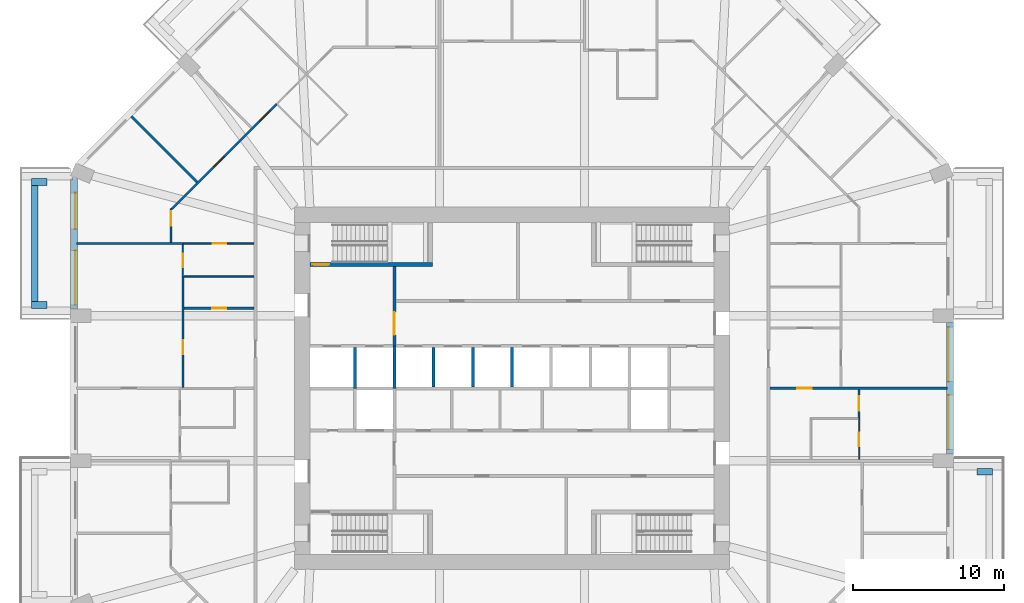
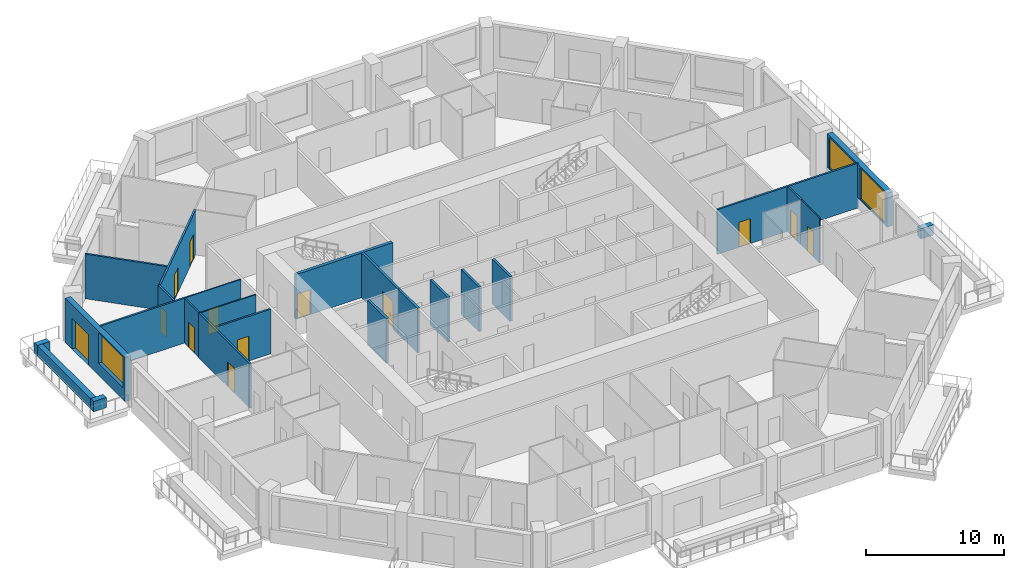
# One storey, part 7 of 13: 25 walls, 13 doors, 3 windows, 16 openings.
"""IFC4 building model written with IfcOpenShell, lengths in metres."""

import ifcopenshell
import ifcopenshell.guid

model = None  # the IFC model being written
_history = None  # IfcOwnerHistory: only IFC2X3 demands one
_inside = {}  # id of a spatial element -> (the spatial element, [elements in it])
_under = {}  # id of a project, library or spatial element -> (it, [spatial elements below it])
_declared = {}  # id of a project -> (the project, [libraries it declares])
_typed = {}  # id of a type object -> (the type object, [elements of that type])
_made_of = {}  # id of a material, layer set ... -> (it, [elements and type objects made of it])


def new_model(schema):
    """Start an empty IFC model of exactly this schema.

    Asked for "IFC4X3", IfcOpenShell would pick the latest addendum, in which some entities
    have other attributes; the version numbers below select the first issue.
    IFC2X3 requires an IfcOwnerHistory on every rooted entity: one is made here for all.
    """
    global model, _history
    if schema == "IFC4X3":
        model = ifcopenshell.file(schema_version=(4, 3, 0, 0))
    else:
        model = ifcopenshell.file(schema=schema)
    _inside.clear()
    _under.clear()
    _declared.clear()
    _typed.clear()
    _made_of.clear()
    _history = None
    if model.schema == "IFC2X3":
        org = make("IfcOrganization", Name="unknown")
        user = make(
            "IfcPersonAndOrganization",
            ThePerson=make("IfcPerson", FamilyName="unknown"),
            TheOrganization=org,
        )
        app = make(
            "IfcApplication",
            ApplicationDeveloper=org,
            Version="unknown",
            ApplicationFullName="unknown",
            ApplicationIdentifier="unknown",
        )
        _history = make(
            "IfcOwnerHistory",
            OwningUser=user,
            OwningApplication=app,
            ChangeAction="ADDED",
            CreationDate=0,
        )
    return model


def make(cls, **values):
    """One entity of the class cls with the attributes given. An attribute that is None is left unset."""
    return model.create_entity(
        cls, **{name: value for name, value in values.items() if value is not None}
    )


def rooted(cls, **values):
    """An entity with a GlobalId (a new one), such as an element, a storey or a relation."""
    return make(cls, GlobalId=ifcopenshell.guid.new(), OwnerHistory=_history, **values)


def si_unit(unit_type, name, prefix=None):
    """IfcSIUnit, for example si_unit("LENGTHUNIT", "METRE", prefix="MILLI")."""
    return make("IfcSIUnit", UnitType=unit_type, Prefix=prefix, Name=name)


def assignment(units):
    """IfcUnitAssignment: the units of a project."""
    return None if units is None else make("IfcUnitAssignment", Units=units)


def point(xyz):
    """IfcCartesianPoint."""
    return None if xyz is None else make("IfcCartesianPoint", Coordinates=xyz)


def direction(xyz):
    """IfcDirection."""
    return None if xyz is None else make("IfcDirection", DirectionRatios=xyz)


def frame(location, z_axis=None, x_axis=None):
    """IfcAxis2Placement3D, a coordinate frame: its origin and axes. An axis left out is left unset."""
    return make(
        "IfcAxis2Placement3D",
        Location=point(location),
        Axis=direction(z_axis),
        RefDirection=direction(x_axis),
    )


def frame_2d(location, x_axis=None):
    """IfcAxis2Placement2D, a coordinate frame in the plane: its origin and x axis."""
    return make(
        "IfcAxis2Placement2D", Location=point(location), RefDirection=direction(x_axis)
    )


def origin():
    """The frame at (0, 0, 0) with its axes left unset."""
    return frame((0.0, 0.0, 0.0))


def place(relative_to, where):
    """IfcLocalPlacement: puts the frame where relative to a parent placement (None: the world)."""
    return make(
        "IfcLocalPlacement", PlacementRelTo=relative_to, RelativePlacement=where
    )


def context(
    kind, dimensions, precision=None, world=None, true_north=None, identifier=None
):
    """IfcGeometricRepresentationContext, for example the 3D "Model" context."""
    return make(
        "IfcGeometricRepresentationContext",
        ContextIdentifier=identifier,
        ContextType=kind,
        CoordinateSpaceDimension=dimensions,
        Precision=precision,
        WorldCoordinateSystem=world,
        TrueNorth=true_north,
    )


def subcontext(parent, identifier, kind, view, scale=None):
    """IfcGeometricRepresentationSubContext, for example "Body" below "Model"."""
    return make(
        "IfcGeometricRepresentationSubContext",
        ContextIdentifier=identifier,
        ContextType=kind,
        ParentContext=parent,
        TargetScale=scale,
        TargetView=view,
    )


def project(units=None, contexts=None):
    """IfcProject with its units and contexts."""
    return rooted(
        "IfcProject",
        Name="project",
        RepresentationContexts=contexts,
        UnitsInContext=assignment(units),
    )


def spatial(cls, under=None, at=None, **own):
    """A site, building, storey or space (cls), placed at a placement, below another one or the project."""
    s = rooted(cls, ObjectPlacement=at, **own)
    if under is not None:
        _under.setdefault(under.id(), (under, []))[1].append(s)
    return s


def profile(cls, at=None, kind="AREA", **sizes):
    """A parametric profile (cls). Its sizes go by their IFC names, for example OverallWidth=200.0."""
    return make(cls, ProfileType=kind, Position=at, **sizes)


def rectangle(**sizes):
    """IfcRectangleProfileDef."""
    return profile("IfcRectangleProfileDef", **sizes)


def extrude(swept, where, along, depth):
    """IfcExtrudedAreaSolid: the profile swept, set in the frame where, extruded along a direction by depth."""
    return make(
        "IfcExtrudedAreaSolid",
        SweptArea=swept,
        Position=where,
        ExtrudedDirection=direction(along),
        Depth=depth,
    )


def shape(context_of_items, identifier, shape_type, items):
    """IfcShapeRepresentation: the items that make up one representation, for example the "Body"."""
    return make(
        "IfcShapeRepresentation",
        ContextOfItems=context_of_items,
        RepresentationIdentifier=identifier,
        RepresentationType=shape_type,
        Items=items,
    )


def material(Name=None, Category=None):
    """IfcMaterial."""
    return make("IfcMaterial", Name=Name, Category=Category)


def layer(
    of_material, thickness, ventilated=None, Name=None, Category=None, Priority=None
):
    """IfcMaterialLayer: one layer of a wall or slab, of a material (None: an air gap)."""
    return make(
        "IfcMaterialLayer",
        Material=of_material,
        LayerThickness=thickness,
        IsVentilated=ventilated,
        Name=Name,
        Category=Category,
        Priority=Priority,
    )


def layer_set(layers, Name=None):
    """IfcMaterialLayerSet."""
    return make("IfcMaterialLayerSet", MaterialLayers=layers, LayerSetName=Name)


def made_of(thing, what):
    """Note that an element or type object is made of a material, layer set ...; save() writes the relation."""
    if what is not None:
        _made_of.setdefault(what.id(), (what, []))[1].append(thing)
    return thing


def type_object(cls, material=None, **own):
    """A type object (cls), such as IfcWallType, which elements share."""
    return made_of(rooted(cls, **own), material)


def element(
    cls,
    number,
    at=None,
    inside=None,
    cuts=None,
    type_object=None,
    material=None,
    context=None,
    identifier="Body",
    shape_type=None,
    held_by="IfcProductDefinitionShape",
    body=None,
    shapes=None,
    **own,
):
    """One element of the class cls, such as IfcWall. Its Tag is "e" and its number.

    at: its placement. inside: the storey or other place that contains it. cuts: it is an
    opening in that element (IfcRelVoidsElement). A single representation is given by context,
    identifier, shape_type and body (its items); several are given by shapes. held_by: the class
    of the entity that holds the representations. save() writes the other relations.
    """
    e = rooted(cls, Tag="e%d" % number, ObjectPlacement=at, **own)
    if body is not None:
        shapes = [shape(context, identifier, shape_type, body)]
    if shapes is not None:
        e.Representation = make(held_by, Representations=shapes)
    if inside is not None:
        _inside.setdefault(inside.id(), (inside, []))[1].append(e)
    if cuts is not None:
        rooted(
            "IfcRelVoidsElement", RelatingBuildingElement=cuts, RelatedOpeningElement=e
        )
    if type_object is not None:
        _typed.setdefault(type_object.id(), (type_object, []))[1].append(e)
    return made_of(e, material)


def fill(opening, filler):
    """IfcRelFillsElement: the door or window that sits in an opening."""
    return rooted(
        "IfcRelFillsElement",
        RelatingOpeningElement=opening,
        RelatedBuildingElement=filler,
    )


def aggregate(whole, parts):
    """IfcRelAggregates: a whole, such as a stair, and the parts it consists of."""
    return rooted("IfcRelAggregates", RelatingObject=whole, RelatedObjects=parts)


def save(model, path):
    """Write the relations noted so far, then the file.

    IfcRelAggregates (storeys below a building ...), IfcRelContainedInSpatialStructure (elements
    in a storey), IfcRelDefinesByType, IfcRelAssociatesMaterial and IfcRelDeclares: one each for
    every whole, place, type object, material and project.
    """
    for whole, parts in _under.values():
        aggregate(whole, parts)
    for where, things in _inside.values():
        rooted(
            "IfcRelContainedInSpatialStructure",
            RelatedElements=things,
            RelatingStructure=where,
        )
    for kind, things in _typed.values():
        rooted("IfcRelDefinesByType", RelatedObjects=things, RelatingType=kind)
    for what, things in _made_of.values():
        rooted("IfcRelAssociatesMaterial", RelatedObjects=things, RelatingMaterial=what)
    for by, libraries in _declared.values():
        rooted("IfcRelDeclares", RelatingContext=by, RelatedDefinitions=libraries)
    model.write(path)


model = new_model("IFC4")

# Units and contexts
model_context = context("Model", 3, precision=1e-05, world=origin(), true_north=direction((0.0, 1.0)))
body_context = subcontext(model_context, "Body", "Model", "MODEL_VIEW")
ifc_project = project(units=[si_unit("LENGTHUNIT", "METRE"), si_unit("AREAUNIT", "SQUARE_METRE"), si_unit("VOLUMEUNIT", "CUBIC_METRE"), si_unit("PLANEANGLEUNIT", "RADIAN"), si_unit("MASSUNIT", "GRAM", prefix="KILO")], contexts=[model_context])

# Site, building, storey
site_placement = place(None, origin())
site = spatial("IfcSite", under=ifc_project, at=site_placement, CompositionType="ELEMENT")
building_placement = place(site_placement, origin())
building = spatial("IfcBuilding", under=site, at=building_placement, Name="Msitu Wima Residences", CompositionType="ELEMENT")
storey_placement = place(building_placement, frame((0.0, 0.0, 67.5)))
storey = spatial("IfcBuildingStorey", under=building, at=storey_placement, Name="L15", CompositionType="ELEMENT", Elevation=67.5)

# Walls
ifc_material_1 = material(Name="Facing brick")
ifc_layer_1 = layer(ifc_material_1, 0.06494140625, Name="Facing brick")
ifc_material_2 = material(Name="Concrete C40/50", Category="concrete")
ifc_layer_2 = layer(ifc_material_2, 0.156005859375, Name="Concrete C40/50")
ifc_material_3 = material(Name="Waterproofing membrane")
ifc_layer_3 = layer(ifc_material_3, 0.00390625, Name="Waterproofing membrane")
ifc_material_4 = material(Name="Planting soil and planting")
ifc_layer_4 = layer(ifc_material_4, 0.22509765625, Name="Planting soil and planting")
ifc_layer_set_1 = layer_set([ifc_layer_1, ifc_layer_2, ifc_layer_3, ifc_layer_4], Name="Concrete C40/50")
wall_type_1 = type_object("IfcWallType", Name="Balcony planter PLANTER PL450", PredefinedType="USERDEFINED", material=ifc_layer_set_1)
wall_1_placement = place(storey_placement, frame((30.800048828125, -5.52490234375, 0.0), z_axis=(0.0, 0.0, 1.0), x_axis=(1.0, 0.0, 0.0)))
element("IfcWall", 1, at=wall_1_placement, inside=storey, type_object=wall_type_1, Name="Balcony planter E0 L15", ObjectType="PLANTER", PredefinedType="USERDEFINED", context=body_context, shape_type="SweptSolid", body=[
    extrude(rectangle(XDim=1.050048828125, YDim=0.449951171875, at=frame_2d((0.52490234375, 0.0))), origin(), (0.0, 0.0, 1.0), 0.89990234375),
])
wall_2_placement = place(storey_placement, frame((-31.625, 13.449951171875, 0.0), z_axis=(0.0, 0.0, 1.0), x_axis=(0.0, -1.0, 0.0)))
element("IfcWall", 2, at=wall_2_placement, inside=storey, type_object=wall_type_1, Name="Balcony planter W0 L15", ObjectType="PLANTER", PredefinedType="USERDEFINED", context=body_context, shape_type="SweptSolid", body=[
    extrude(rectangle(XDim=7.699951171875, YDim=0.449951171875, at=frame_2d((3.85009765625, 0.0))), origin(), (0.0, 0.0, 1.0), 0.89990234375),
])
for number, where, z_axis, x_axis, name in (
    (3, (-30.800048828125, 13.675048828125, 0.0), (0.0, 0.0, 1.0), (-1.0, 0.0, 0.0), "Balcony planter W0 L15"),
    (4, (-30.800048828125, 5.52490234375, 0.0), (0.0, 0.0, 1.0), (-1.0, 0.0, 0.0), "Balcony planter W0 L15"),
):
    element("IfcWall", number, at=place(storey_placement, frame(where, z_axis=z_axis, x_axis=x_axis)), inside=storey, type_object=wall_type_1, Name=name, ObjectType="PLANTER", PredefinedType="USERDEFINED", context=body_context, shape_type="SweptSolid", body=[
        extrude(rectangle(XDim=1.050048828125, YDim=0.449951171875, at=frame_2d((0.52490234375, 0.0))), origin(), (0.0, 0.0, 1.0), 0.89990234375),
    ])

# Wall, openings, windows
ifc_material_5 = material(Name="Brick (red buff mix)", Category="masonry")
ifc_layer_5 = layer(ifc_material_5, 0.449951171875)
ifc_layer_set_2 = layer_set([ifc_layer_5], Name="Brick (red buff mix)")
wall_type_2 = type_object("IfcWallType", Name="Brick infill wall BW450", PredefinedType="SOLIDWALL", material=ifc_layer_set_2)
wall_3_placement = place(storey_placement, frame((29.02490234375, -4.35009765625, 0.89990234375), z_axis=(0.0, 0.0, 1.0), x_axis=(0.0, 1.0, 0.0)))
wall_3 = element("IfcWall", 5, at=wall_3_placement, inside=storey, type_object=wall_type_2, Name="Brick infill wall L15 E1", PredefinedType="SOLIDWALL", context=body_context, shape_type="SweptSolid", body=[
    extrude(rectangle(XDim=8.7001953125, YDim=0.449951171875, at=frame_2d((4.35009765625, 0.0))), origin(), (0.0, 0.0, 1.0), 3.0),
])
opening_1_placement = place(wall_3_placement, frame((0.300048828125, 0.0, 0.14990234375)))
opening_1 = element("IfcOpeningElement", 6, at=opening_1_placement, cuts=wall_3, Name="Opening W13-15.002", PredefinedType="OPENING", context=body_context, shape_type="SweptSolid", body=[
    extrude(rectangle(XDim=3.60009765625, YDim=2.699951171875, at=frame_2d((1.800048828125, 1.35009765625))), frame((0.0, 0.23486328125, 0.0), z_axis=(0.0, -1.0, 0.0), x_axis=(1.0, 0.0, 0.0)), (0.0, 0.0, 1.0), 0.469970703125),
])
opening_2_placement = place(wall_3_placement, frame((4.800048828125, 0.0, 0.14990234375)))
opening_2 = element("IfcOpeningElement", 7, at=opening_2_placement, cuts=wall_3, Name="Opening W13-15.003", PredefinedType="OPENING", context=body_context, shape_type="SweptSolid", body=[
    extrude(rectangle(XDim=3.60009765625, YDim=2.699951171875, at=frame_2d((1.800048828125, 1.35009765625))), frame((0.0, 0.23486328125, 0.0), z_axis=(0.0, -1.0, 0.0), x_axis=(1.0, 0.0, 0.0)), (0.0, 0.0, 1.0), 0.469970703125),
])
ifc_material_6 = material(Name="Anodised aluminium, bronze finish, clear low-emissivity double glazing", Category="aluminium")
window_type = type_object("IfcWindowType", Name="Window W3600x2700", PartitioningType="DOUBLE_PANEL_VERTICAL", PredefinedType="WINDOW", material=ifc_material_6)
window_1_placement = place(opening_1_placement, origin())
window_1 = element("IfcWindow", 8, at=window_1_placement, inside=storey, type_object=window_type, Name="Window L15 E1.1", OverallHeight=2.699951171875, OverallWidth=3.60009765625, PartitioningType="SINGLE_PANEL", PredefinedType="WINDOW", context=body_context, shape_type="SweptSolid", body=[
    extrude(rectangle(XDim=3.60009765625, YDim=2.699951171875, at=frame_2d((1.800048828125, 1.35009765625))), frame((0.0, 0.135009765625, 0.0), z_axis=(0.0, -1.0, 0.0), x_axis=(1.0, 0.0, 0.0)), (0.0, 0.0, 1.0), 0.06005859375),
])
fill(opening_1, window_1)
window_2_placement = place(opening_2_placement, origin())
window_2 = element("IfcWindow", 9, at=window_2_placement, inside=storey, type_object=window_type, Name="Window L15 E1.2", OverallHeight=2.699951171875, OverallWidth=3.60009765625, PartitioningType="SINGLE_PANEL", PredefinedType="WINDOW", context=body_context, shape_type="SweptSolid", body=[
    extrude(rectangle(XDim=3.60009765625, YDim=2.699951171875, at=frame_2d((1.800048828125, 1.35009765625))), frame((0.0, 0.135009765625, 0.0), z_axis=(0.0, -1.0, 0.0), x_axis=(1.0, 0.0, 0.0)), (0.0, 0.0, 1.0), 0.06005859375),
])
fill(opening_2, window_2)

# Wall, openings, door, window
wall_4_placement = place(storey_placement, frame((-29.02490234375, 13.912841796875, 0.0), z_axis=(0.0, 0.0, 1.0), x_axis=(0.0, -1.0, 0.0)))
wall_4 = element("IfcWall", 10, at=wall_4_placement, inside=storey, type_object=wall_type_2, Name="Brick infill wall L15 W0", PredefinedType="SOLIDWALL", context=body_context, shape_type="SweptSolid", body=[
    extrude(rectangle(XDim=8.662841796875, YDim=0.449951171875, at=frame_2d((4.33154296875, 0.0))), origin(), (0.0, 0.0, 1.0), 3.89990234375),
])
opening_3_placement = place(wall_4_placement, frame((0.9658203125, 0.0, 0.0)))
opening_3 = element("IfcOpeningElement", 11, at=opening_3_placement, cuts=wall_4, Name="Opening D13-15.009", PredefinedType="OPENING", context=body_context, shape_type="SweptSolid", body=[
    extrude(rectangle(XDim=2.39990234375, YDim=2.699951171875, at=frame_2d((1.199951171875, 1.35009765625))), frame((0.0, 0.23486328125, 0.0), z_axis=(0.0, -1.0, 0.0), x_axis=(1.0, 0.0, 0.0)), (0.0, 0.0, 1.0), 0.469970703125),
])
opening_4_placement = place(wall_4_placement, frame((4.781494140625, 0.0, 1.050048828125)))
opening_4 = element("IfcOpeningElement", 12, at=opening_4_placement, cuts=wall_4, Name="Opening W13-15.027", PredefinedType="OPENING", context=body_context, shape_type="SweptSolid", body=[
    extrude(rectangle(XDim=3.60009765625, YDim=2.699951171875, at=frame_2d((1.800048828125, 1.35009765625))), frame((0.0, 0.23486328125, 0.0), z_axis=(0.0, -1.0, 0.0), x_axis=(1.0, 0.0, 0.0)), (0.0, 0.0, 1.0), 0.469970703125),
])
door_type_1 = type_object("IfcDoorType", Name="Balcony door D2400x2700", OperationType="SLIDING_TO_LEFT", PredefinedType="DOOR", material=ifc_material_6)
door_1_placement = place(opening_3_placement, origin())
door_1 = element("IfcDoor", 13, at=door_1_placement, inside=storey, type_object=door_type_1, Name="Balcony door L15 W0", OperationType="SINGLE_SWING_LEFT", OverallHeight=2.699951171875, OverallWidth=2.39990234375, PredefinedType="DOOR", context=body_context, shape_type="SweptSolid", body=[
    extrude(rectangle(XDim=2.39990234375, YDim=2.699951171875, at=frame_2d((1.199951171875, 1.35009765625))), frame((0.0, 0.1298828125, 0.0), z_axis=(0.0, -1.0, 0.0), x_axis=(1.0, 0.0, 0.0)), (0.0, 0.0, 1.0), 0.050048828125),
])
fill(opening_3, door_1)
window_3_placement = place(opening_4_placement, origin())
window_3 = element("IfcWindow", 14, at=window_3_placement, inside=storey, type_object=window_type, Name="Window L15 W0.2", OverallHeight=2.699951171875, OverallWidth=3.60009765625, PartitioningType="SINGLE_PANEL", PredefinedType="WINDOW", context=body_context, shape_type="SweptSolid", body=[
    extrude(rectangle(XDim=3.60009765625, YDim=2.699951171875, at=frame_2d((1.800048828125, 1.35009765625))), frame((0.0, 0.135009765625, 0.0), z_axis=(0.0, -1.0, 0.0), x_axis=(1.0, 0.0, 0.0)), (0.0, 0.0, 1.0), 0.06005859375),
])
fill(opening_4, window_3)

# Wall, opening, door
ifc_material_7 = material(Name="Plaster")
ifc_layer_6 = layer(ifc_material_7, 0.011962890625, Name="Plaster")
ifc_material_8 = material(Name="Concrete blockwork", Category="masonry")
ifc_layer_7 = layer(ifc_material_8, 0.176025390625, Name="Concrete blockwork")
ifc_layer_8 = layer(ifc_material_7, 0.011962890625, Name="Plaster")
ifc_layer_set_3 = layer_set([ifc_layer_6, ifc_layer_7, ifc_layer_8], Name="Concrete blockwork")
wall_type_3 = type_object("IfcWallType", Name="Corridor wall FW200", PredefinedType="PARTITIONING", material=ifc_layer_set_3)
wall_5_placement = place(storey_placement, frame((-7.800048828125, 2.800048828125, 0.0), z_axis=(0.0, 0.0, 1.0), x_axis=(0.0, 1.0, 0.0)))
wall_5 = element("IfcWall", 15, at=wall_5_placement, inside=storey, type_object=wall_type_3, Name="Corridor wall", PredefinedType="PARTITIONING", context=body_context, shape_type="SweptSolid", body=[
    extrude(rectangle(XDim=5.27490234375, YDim=0.199951171875, at=frame_2d((2.637451171875, 0.0))), origin(), (0.0, 0.0, 1.0), 3.949951171875),
])
opening_5_placement = place(wall_5_placement, frame((0.75, 0.0, 0.0)))
opening_5 = element("IfcOpeningElement", 16, at=opening_5_placement, cuts=wall_5, Name="Opening D13-15.016", PredefinedType="OPENING", context=body_context, shape_type="SweptSolid", body=[
    extrude(rectangle(XDim=1.5, YDim=2.39990234375, at=frame_2d((0.75, 1.199951171875))), frame((0.0, 0.10986328125, 0.0), z_axis=(0.0, -1.0, 0.0), x_axis=(1.0, 0.0, 0.0)), (0.0, 0.0, 1.0), 0.219970703125),
])
ifc_material_9 = material(Name="Steel framed glazed door, fire resisting", Category="steel")
door_type_2 = type_object("IfcDoorType", Name="Lobby door D07 1500x2400", OperationType="DOUBLE_DOOR_SINGLE_SWING", PredefinedType="DOOR", material=ifc_material_9)
door_2_placement = place(opening_5_placement, origin())
door_2 = element("IfcDoor", 17, at=door_2_placement, inside=storey, type_object=door_type_2, Name="Lobby door", OperationType="DOUBLE_DOOR_SINGLE_SWING", OverallHeight=2.39990234375, OverallWidth=1.5, PredefinedType="DOOR", context=body_context, shape_type="SweptSolid", body=[
    extrude(rectangle(XDim=1.5, YDim=2.39990234375, at=frame_2d((0.75, 1.199951171875))), frame((0.0, 0.02490234375, 0.0), z_axis=(0.0, -1.0, 0.0), x_axis=(1.0, 0.0, 0.0)), (0.0, 0.0, 1.0), 0.050048828125),
])
fill(opening_5, door_2)

# Walls
ifc_layer_9 = layer(ifc_material_7, 0.011962890625, Name="Plaster")
ifc_layer_10 = layer(ifc_material_8, 0.1259765625, Name="Concrete blockwork")
ifc_layer_11 = layer(ifc_material_7, 0.011962890625, Name="Plaster")
ifc_layer_set_4 = layer_set([ifc_layer_9, ifc_layer_10, ifc_layer_11], Name="Concrete blockwork")
wall_type_4 = type_object("IfcWallType", Name="Partition PW150", PredefinedType="PARTITIONING", material=ifc_layer_set_4)
wall_6_placement = place(storey_placement, frame((-28.85498046875, 9.60009765625, 0.0), z_axis=(0.0, 0.0, 1.0), x_axis=(1.0, 0.0, 0.0)))
element("IfcWall", 18, at=wall_6_placement, inside=storey, type_object=wall_type_4, Name="Partition", PredefinedType="PARTITIONING", context=body_context, shape_type="SweptSolid", body=[
    extrude(rectangle(XDim=7.074951171875, YDim=0.14990234375, at=frame_2d((3.53759765625, 0.0))), origin(), (0.0, 0.0, 1.0), 3.949951171875),
])
wall_7_placement = place(storey_placement, frame((-25.2177734375, 18.017578125, 0.0), z_axis=(0.0, 0.0, 1.0), x_axis=(0.707126629519, -0.707086932297, 0.0)))
element("IfcWall", 19, at=wall_7_placement, inside=storey, type_object=wall_type_4, Name="Partition", PredefinedType="PARTITIONING", context=body_context, shape_type="SweptSolid", body=[
    extrude(rectangle(XDim=6.150146484375, YDim=0.14990234375, at=frame_2d((3.0751953125, 0.0))), origin(), (0.0, 0.0, 1.0), 3.949951171875),
])

# Wall, opening, door
wall_8_placement = place(storey_placement, frame((-22.60009765625, 9.675048828125, 0.0), z_axis=(0.0, 0.0, 1.0), x_axis=(0.0, 1.0, 0.0)))
wall_8 = element("IfcWall", 20, at=wall_8_placement, inside=storey, type_object=wall_type_4, Name="Partition", PredefinedType="PARTITIONING", context=body_context, shape_type="SweptSolid", body=[
    extrude(rectangle(XDim=2.23193359375, YDim=0.14990234375, at=frame_2d((1.115966796875, 0.0))), origin(), (0.0, 0.0, 1.0), 3.949951171875),
])
opening_6_placement = place(wall_8_placement, frame((1.10009765625, 0.0, 0.0)))
opening_6 = element("IfcOpeningElement", 21, at=opening_6_placement, cuts=wall_8, Name="Opening D13-15.064", PredefinedType="OPENING", context=body_context, shape_type="SweptSolid", body=[
    extrude(rectangle(XDim=0.949951171875, YDim=2.199951171875, at=frame_2d((0.47509765625, 1.10009765625))), frame((0.0, 0.0849609375, 0.0), z_axis=(0.0, -1.0, 0.0), x_axis=(1.0, 0.0, 0.0)), (0.0, 0.0, 1.0), 0.169921875),
])
ifc_material_10 = material(Name="Timber flush door", Category="wood")
door_type_3 = type_object("IfcDoorType", Name="Room door D12 950x2200", OperationType="SINGLE_SWING_LEFT", PredefinedType="DOOR", material=ifc_material_10)
door_3_placement = place(opening_6_placement, origin())
door_3 = element("IfcDoor", 22, at=door_3_placement, inside=storey, type_object=door_type_3, Name="Room door", OperationType="SINGLE_SWING_LEFT", OverallHeight=2.199951171875, OverallWidth=0.949951171875, PredefinedType="DOOR", context=body_context, shape_type="SweptSolid", body=[
    extrude(rectangle(XDim=0.949951171875, YDim=2.199951171875, at=frame_2d((0.47509765625, 1.10009765625))), frame((0.0, 0.02490234375, 0.0), z_axis=(0.0, -1.0, 0.0), x_axis=(1.0, 0.0, 0.0)), (0.0, 0.0, 1.0), 0.050048828125),
])
fill(opening_6, door_3)

# Wall, openings, doors
wall_9_placement = place(storey_placement, frame((-22.546875, 11.885009765625, 0.0), z_axis=(0.0, 0.0, 1.0), x_axis=(0.707106781187, 0.707106781187, 0.0)))
wall_9 = element("IfcWall", 23, at=wall_9_placement, inside=storey, type_object=wall_type_4, Name="Partition", PredefinedType="PARTITIONING", context=body_context, shape_type="SweptSolid", body=[
    extrude(rectangle(XDim=9.830078125, YDim=0.14990234375, at=frame_2d((4.9150390625, 0.0))), origin(), (0.0, 0.0, 1.0), 3.949951171875),
])
opening_7_placement = place(wall_9_placement, frame((3.949951171875, 0.0, 0.0)))
opening_7 = element("IfcOpeningElement", 24, at=opening_7_placement, cuts=wall_9, Name="Opening D13-15.059", PredefinedType="OPENING", context=body_context, shape_type="SweptSolid", body=[
    extrude(rectangle(XDim=0.949951171875, YDim=2.199951171875, at=frame_2d((0.47509765625, 1.10009765625))), frame((0.0, 0.0849609375, 0.0), z_axis=(0.0, -1.0, 0.0), x_axis=(1.0, 0.0, 0.0)), (0.0, 0.0, 1.0), 0.169921875),
])
opening_8_placement = place(wall_9_placement, frame((8.25, 0.0, 0.0)))
opening_8 = element("IfcOpeningElement", 25, at=opening_8_placement, cuts=wall_9, Name="Opening D13-15.061", PredefinedType="OPENING", context=body_context, shape_type="SweptSolid", body=[
    extrude(rectangle(XDim=0.949951171875, YDim=2.199951171875, at=frame_2d((0.47509765625, 1.10009765625))), frame((0.0, 0.0849609375, 0.0), z_axis=(0.0, -1.0, 0.0), x_axis=(1.0, 0.0, 0.0)), (0.0, 0.0, 1.0), 0.169921875),
])
door_4_placement = place(opening_7_placement, origin())
door_4 = element("IfcDoor", 26, at=door_4_placement, inside=storey, type_object=door_type_3, Name="Room door", OperationType="SINGLE_SWING_LEFT", OverallHeight=2.199951171875, OverallWidth=0.949951171875, PredefinedType="DOOR", context=body_context, shape_type="SweptSolid", body=[
    extrude(rectangle(XDim=0.949951171875, YDim=2.199951171875, at=frame_2d((0.47509765625, 1.10009765625))), frame((0.0, 0.02490234375, 0.0), z_axis=(0.0, -1.0, 0.0), x_axis=(1.0, 0.0, 0.0)), (0.0, 0.0, 1.0), 0.050048828125),
])
fill(opening_7, door_4)
door_5_placement = place(opening_8_placement, origin())
door_5 = element("IfcDoor", 27, at=door_5_placement, inside=storey, type_object=door_type_3, Name="Room door", OperationType="SINGLE_SWING_LEFT", OverallHeight=2.199951171875, OverallWidth=0.949951171875, PredefinedType="DOOR", context=body_context, shape_type="SweptSolid", body=[
    extrude(rectangle(XDim=0.949951171875, YDim=2.199951171875, at=frame_2d((0.47509765625, 1.10009765625))), frame((0.0, 0.02490234375, 0.0), z_axis=(0.0, -1.0, 0.0), x_axis=(1.0, 0.0, 0.0)), (0.0, 0.0, 1.0), 0.050048828125),
])
fill(opening_8, door_5)

# Wall, opening, door
wall_10_placement = place(storey_placement, frame((-21.800048828125, 0.050048828125, 0.0), z_axis=(0.0, 0.0, 1.0), x_axis=(0.0, 1.0, 0.0)))
wall_10 = element("IfcWall", 28, at=wall_10_placement, inside=storey, type_object=wall_type_4, Name="Partition", PredefinedType="PARTITIONING", context=body_context, shape_type="SweptSolid", body=[
    extrude(rectangle(XDim=7.369873046875, YDim=0.14990234375, at=frame_2d((3.68505859375, 0.0))), origin(), (0.0, 0.0, 1.0), 3.949951171875),
])
opening_9_placement = place(wall_10_placement, frame((2.199951171875, 0.0, 0.0)))
opening_9 = element("IfcOpeningElement", 29, at=opening_9_placement, cuts=wall_10, Name="Opening D13-15.046", PredefinedType="OPENING", context=body_context, shape_type="SweptSolid", body=[
    extrude(rectangle(XDim=0.949951171875, YDim=2.199951171875, at=frame_2d((0.47509765625, 1.10009765625))), frame((0.0, 0.0849609375, 0.0), z_axis=(0.0, -1.0, 0.0), x_axis=(1.0, 0.0, 0.0)), (0.0, 0.0, 1.0), 0.169921875),
])
door_6_placement = place(opening_9_placement, origin())
door_6 = element("IfcDoor", 30, at=door_6_placement, inside=storey, type_object=door_type_3, Name="Room door", OperationType="SINGLE_SWING_LEFT", OverallHeight=2.199951171875, OverallWidth=0.949951171875, PredefinedType="DOOR", context=body_context, shape_type="SweptSolid", body=[
    extrude(rectangle(XDim=0.949951171875, YDim=2.199951171875, at=frame_2d((0.47509765625, 1.10009765625))), frame((0.0, 0.02490234375, 0.0), z_axis=(0.0, -1.0, 0.0), x_axis=(1.0, 0.0, 0.0)), (0.0, 0.0, 1.0), 0.050048828125),
])
fill(opening_9, door_6)

wall_11_placement = place(storey_placement, frame((-21.72509765625, 5.300048828125, 0.0), z_axis=(0.0, 0.0, 1.0), x_axis=(1.0, 0.0, 0.0)))
wall_11 = element("IfcWall", 31, at=wall_11_placement, inside=storey, type_object=wall_type_4, Name="Partition", PredefinedType="PARTITIONING", context=body_context, shape_type="SweptSolid", body=[
    extrude(rectangle(XDim=4.625, YDim=0.14990234375, at=frame_2d((2.3125, 0.0))), origin(), (0.0, 0.0, 1.0), 3.949951171875),
])
opening_10_placement = place(wall_11_placement, frame((1.85009765625, 0.0, 0.0)))
opening_10 = element("IfcOpeningElement", 32, at=opening_10_placement, cuts=wall_11, Name="Opening D13-15.047", PredefinedType="OPENING", context=body_context, shape_type="SweptSolid", body=[
    extrude(rectangle(XDim=0.949951171875, YDim=2.199951171875, at=frame_2d((0.47509765625, 1.10009765625))), frame((0.0, 0.0849609375, 0.0), z_axis=(0.0, -1.0, 0.0), x_axis=(1.0, 0.0, 0.0)), (0.0, 0.0, 1.0), 0.169921875),
])
door_7_placement = place(opening_10_placement, origin())
door_7 = element("IfcDoor", 33, at=door_7_placement, inside=storey, type_object=door_type_3, Name="Room door", OperationType="SINGLE_SWING_RIGHT", OverallHeight=2.199951171875, OverallWidth=0.949951171875, PredefinedType="DOOR", context=body_context, shape_type="SweptSolid", body=[
    extrude(rectangle(XDim=0.949951171875, YDim=2.199951171875, at=frame_2d((0.47509765625, 1.10009765625))), frame((0.0, 0.02490234375, 0.0), z_axis=(0.0, -1.0, 0.0), x_axis=(1.0, 0.0, 0.0)), (0.0, 0.0, 1.0), 0.050048828125),
])
fill(opening_10, door_7)

wall_12_placement = place(storey_placement, frame((17.10009765625, 0.0, 0.0), z_axis=(0.0, 0.0, 1.0), x_axis=(1.0, 0.0, 0.0)))
wall_12 = element("IfcWall", 34, at=wall_12_placement, inside=storey, type_object=wall_type_4, Name="Partition", PredefinedType="PARTITIONING", context=body_context, shape_type="SweptSolid", body=[
    extrude(rectangle(XDim=11.7548828125, YDim=0.14990234375, at=frame_2d((5.87744140625, 0.0))), origin(), (0.0, 0.0, 1.0), 3.949951171875),
])
opening_11_placement = place(wall_12_placement, frame((1.800048828125, 0.0, 0.0)))
opening_11 = element("IfcOpeningElement", 35, at=opening_11_placement, cuts=wall_12, Name="Opening D13-15.038", PredefinedType="OPENING", context=body_context, shape_type="SweptSolid", body=[
    extrude(rectangle(XDim=0.949951171875, YDim=2.199951171875, at=frame_2d((0.47509765625, 1.10009765625))), frame((0.0, 0.0849609375, 0.0), z_axis=(0.0, -1.0, 0.0), x_axis=(1.0, 0.0, 0.0)), (0.0, 0.0, 1.0), 0.169921875),
])
door_8_placement = place(opening_11_placement, origin())
door_8 = element("IfcDoor", 36, at=door_8_placement, inside=storey, type_object=door_type_3, Name="Room door", OperationType="SINGLE_SWING_RIGHT", OverallHeight=2.199951171875, OverallWidth=0.949951171875, PredefinedType="DOOR", context=body_context, shape_type="SweptSolid", body=[
    extrude(rectangle(XDim=0.949951171875, YDim=2.199951171875, at=frame_2d((0.47509765625, 1.10009765625))), frame((0.0, 0.02490234375, 0.0), z_axis=(0.0, -1.0, 0.0), x_axis=(1.0, 0.0, 0.0)), (0.0, 0.0, 1.0), 0.050048828125),
])
fill(opening_11, door_8)

wall_13_placement = place(storey_placement, frame((23.0, -1.97998046875, 0.0), z_axis=(0.0, 0.0, 1.0), x_axis=(0.0, 1.0, 0.0)))
wall_13 = element("IfcWall", 37, at=wall_13_placement, inside=storey, type_object=wall_type_4, Name="Partition", PredefinedType="PARTITIONING", context=body_context, shape_type="SweptSolid", body=[
    extrude(rectangle(XDim=1.905029296875, YDim=0.14990234375, at=frame_2d((0.95263671875, 0.0))), origin(), (0.0, 0.0, 1.0), 3.949951171875),
])
opening_12_placement = place(wall_13_placement, frame((0.5, 0.0, 0.0)))
opening_12 = element("IfcOpeningElement", 38, at=opening_12_placement, cuts=wall_13, Name="Opening D13-15.071", PredefinedType="OPENING", context=body_context, shape_type="SweptSolid", body=[
    extrude(rectangle(XDim=0.949951171875, YDim=2.199951171875, at=frame_2d((0.47509765625, 1.10009765625))), frame((0.0, 0.0849609375, 0.0), z_axis=(0.0, -1.0, 0.0), x_axis=(1.0, 0.0, 0.0)), (0.0, 0.0, 1.0), 0.169921875),
])
door_9_placement = place(opening_12_placement, origin())
door_9 = element("IfcDoor", 39, at=door_9_placement, inside=storey, type_object=door_type_3, Name="Room door", OperationType="SINGLE_SWING_LEFT", OverallHeight=2.199951171875, OverallWidth=0.949951171875, PredefinedType="DOOR", context=body_context, shape_type="SweptSolid", body=[
    extrude(rectangle(XDim=0.949951171875, YDim=2.199951171875, at=frame_2d((0.47509765625, 1.10009765625))), frame((0.0, 0.02490234375, 0.0), z_axis=(0.0, -1.0, 0.0), x_axis=(1.0, 0.0, 0.0)), (0.0, 0.0, 1.0), 0.050048828125),
])
fill(opening_12, door_9)

# Walls
ifc_material_11 = material(Name="Fire-rated board")
ifc_layer_12 = layer(ifc_material_11, 0.02490234375, Name="Fire-rated board")
ifc_material_12 = material(Name="Light-gauge stud framing with mineral wool")
ifc_layer_13 = layer(ifc_material_12, 0.14990234375, Name="Light-gauge stud framing with mineral wool")
ifc_layer_14 = layer(ifc_material_11, 0.02490234375, Name="Fire-rated board")
ifc_layer_set_5 = layer_set([ifc_layer_12, ifc_layer_13, ifc_layer_14], Name="Light-gauge stud framing with mineral wool")
wall_type_5 = type_object("IfcWallType", Name="Shaft wall SH200", PredefinedType="PARTITIONING", material=ifc_layer_set_5)
wall_14_placement = place(storey_placement, frame((-10.39990234375, 0.0, 0.0), z_axis=(0.0, 0.0, 1.0), x_axis=(0.0, 1.0, 0.0)))
element("IfcWall", 40, at=wall_14_placement, inside=storey, type_object=wall_type_5, Name="Shaft wall", PredefinedType="PARTITIONING", context=body_context, shape_type="SweptSolid", body=[
    extrude(rectangle(XDim=2.699951171875, YDim=0.199951171875, at=frame_2d((1.35009765625, 0.0))), origin(), (0.0, 0.0, 1.0), 3.949951171875),
])
wall_15_placement = place(storey_placement, frame((-7.800048828125, 0.0, 0.0), z_axis=(0.0, 0.0, 1.0), x_axis=(0.0, 1.0, 0.0)))
element("IfcWall", 41, at=wall_15_placement, inside=storey, type_object=wall_type_5, Name="Shaft wall", PredefinedType="PARTITIONING", context=body_context, shape_type="SweptSolid", body=[
    extrude(rectangle(XDim=2.800048828125, YDim=0.199951171875, at=frame_2d((1.39990234375, 0.0))), origin(), (0.0, 0.0, 1.0), 3.949951171875),
])
for number, where, z_axis, x_axis, name in (
    (42, (-5.199951171875, 0.10009765625, 0.0), (0.0, 0.0, 1.0), (0.0, 1.0, 0.0), "Shaft wall"),
    (43, (-2.60009765625, 0.10009765625, 0.0), (0.0, 0.0, 1.0), (0.0, 1.0, 0.0), "Shaft wall"),
    (44, (0.0, 0.10009765625, 0.0), (0.0, 0.0, 1.0), (0.0, 1.0, 0.0), "Shaft wall"),
):
    element("IfcWall", number, at=place(storey_placement, frame(where, z_axis=z_axis, x_axis=x_axis)), inside=storey, type_object=wall_type_5, Name=name, PredefinedType="PARTITIONING", context=body_context, shape_type="SweptSolid", body=[
        extrude(rectangle(XDim=2.599853515625, YDim=0.199951171875, at=frame_2d((1.2998046875, 0.0))), origin(), (0.0, 0.0, 1.0), 3.949951171875),
    ])

# Wall, opening, door
ifc_material_13 = material(Name="Concrete C50/60", Category="concrete")
ifc_layer_15 = layer(ifc_material_13, 0.25)
ifc_layer_set_6 = layer_set([ifc_layer_15], Name="Concrete C50/60")
wall_type_6 = type_object("IfcWallType", Name="Stair enclosure wall SW250", PredefinedType="SHEAR", material=ifc_layer_set_6)
wall_16_placement = place(storey_placement, frame((-13.3701171875, 8.199951171875, 0.0), z_axis=(0.0, 0.0, 1.0), x_axis=(1.0, 0.0, 0.0)))
wall_16 = element("IfcWall", 45, at=wall_16_placement, inside=storey, type_object=wall_type_6, Name="Stair enclosure wall", PredefinedType="SHEAR", context=body_context, shape_type="SweptSolid", body=[
    extrude(rectangle(XDim=8.09521484375, YDim=0.25, at=frame_2d((4.047607421875, 0.0))), origin(), (0.0, 0.0, 1.0), 3.949951171875),
])
opening_13_placement = place(wall_16_placement, frame((0.14990234375, 0.0, 0.0)))
opening_13 = element("IfcOpeningElement", 46, at=opening_13_placement, cuts=wall_16, Name="Opening D13-15.033", PredefinedType="OPENING", context=body_context, shape_type="SweptSolid", body=[
    extrude(rectangle(XDim=1.10009765625, YDim=2.199951171875, at=frame_2d((0.550048828125, 1.10009765625))), frame((0.0, 0.135009765625, 0.0), z_axis=(0.0, -1.0, 0.0), x_axis=(1.0, 0.0, 0.0)), (0.0, 0.0, 1.0), 0.27001953125),
])
ifc_material_14 = material(Name="Steel door, fire resisting, panic bar", Category="steel")
door_type_4 = type_object("IfcDoorType", Name="Stair door D06 1100x2200", OperationType="SINGLE_SWING_LEFT", PredefinedType="DOOR", material=ifc_material_14)
door_10_placement = place(opening_13_placement, origin())
door_10 = element("IfcDoor", 47, at=door_10_placement, inside=storey, type_object=door_type_4, Name="Stair door", OperationType="SINGLE_SWING_LEFT", OverallHeight=2.199951171875, OverallWidth=1.10009765625, PredefinedType="DOOR", context=body_context, shape_type="SweptSolid", body=[
    extrude(rectangle(XDim=1.10009765625, YDim=2.199951171875, at=frame_2d((0.550048828125, 1.10009765625))), frame((0.0, 0.02490234375, 0.0), z_axis=(0.0, -1.0, 0.0), x_axis=(1.0, 0.0, 0.0)), (0.0, 0.0, 1.0), 0.050048828125),
])
fill(opening_13, door_10)

ifc_material_15 = material(Name="Ceramic tiles")
ifc_layer_16 = layer(ifc_material_15, 0.008056640625, Name="Ceramic tiles")
ifc_material_16 = material(Name="Moisture-resistant board")
ifc_layer_17 = layer(ifc_material_16, 0.012451171875, Name="Moisture-resistant board")
ifc_layer_18 = layer(ifc_material_12, 0.06689453125, Name="Light-gauge stud framing with mineral wool")
ifc_layer_19 = layer(ifc_material_16, 0.012451171875, Name="Moisture-resistant board")
ifc_layer_set_7 = layer_set([ifc_layer_16, ifc_layer_17, ifc_layer_18, ifc_layer_19], Name="Light-gauge stud framing with mineral wool")
wall_type_7 = type_object("IfcWallType", Name="Wet wall PW100", PredefinedType="PARTITIONING", material=ifc_layer_set_7)
wall_17_placement = place(storey_placement, frame((-21.780029296875, 9.60009765625, 0.0), z_axis=(0.0, 0.0, 1.0), x_axis=(1.0, 0.0, 0.0)))
wall_17 = element("IfcWall", 48, at=wall_17_placement, inside=storey, type_object=wall_type_7, Name="Wet wall", PredefinedType="PARTITIONING", context=body_context, shape_type="SweptSolid", body=[
    extrude(rectangle(XDim=4.679931640625, YDim=0.10009765625, at=frame_2d((2.33984375, 0.0))), origin(), (0.0, 0.0, 1.0), 3.949951171875),
])
opening_14_placement = place(wall_17_placement, frame((1.949951171875, 0.0, 0.0)))
opening_14 = element("IfcOpeningElement", 49, at=opening_14_placement, cuts=wall_17, Name="Opening D13-15.057", PredefinedType="OPENING", context=body_context, shape_type="SweptSolid", body=[
    extrude(rectangle(XDim=0.89990234375, YDim=2.199951171875, at=frame_2d((0.449951171875, 1.10009765625))), frame((0.0, 0.06005859375, 0.0), z_axis=(0.0, -1.0, 0.0), x_axis=(1.0, 0.0, 0.0)), (0.0, 0.0, 1.0), 0.1201171875),
])
ifc_material_17 = material(Name="Timber flush door, moisture resistant", Category="wood")
door_type_5 = type_object("IfcDoorType", Name="Bathroom door D03 900x2200", OperationType="SINGLE_SWING_LEFT", PredefinedType="DOOR", material=ifc_material_17)
door_11_placement = place(opening_14_placement, origin())
door_11 = element("IfcDoor", 50, at=door_11_placement, inside=storey, type_object=door_type_5, Name="Bathroom door", OperationType="SINGLE_SWING_LEFT", OverallHeight=2.199951171875, OverallWidth=0.89990234375, PredefinedType="DOOR", context=body_context, shape_type="SweptSolid", body=[
    extrude(rectangle(XDim=0.89990234375, YDim=2.199951171875, at=frame_2d((0.449951171875, 1.10009765625))), frame((0.0, 0.02490234375, 0.0), z_axis=(0.0, -1.0, 0.0), x_axis=(1.0, 0.0, 0.0)), (0.0, 0.0, 1.0), 0.050048828125),
])
fill(opening_14, door_11)

wall_18_placement = place(storey_placement, frame((-21.800048828125, 7.419921875, 0.0), z_axis=(0.0, 0.0, 1.0), x_axis=(0.0, 1.0, 0.0)))
wall_18 = element("IfcWall", 51, at=wall_18_placement, inside=storey, type_object=wall_type_7, Name="Wet wall", PredefinedType="PARTITIONING", context=body_context, shape_type="SweptSolid", body=[
    extrude(rectangle(XDim=2.10498046875, YDim=0.10009765625, at=frame_2d((1.052490234375, 0.0))), origin(), (0.0, 0.0, 1.0), 3.949951171875),
])
opening_15_placement = place(wall_18_placement, frame((0.60009765625, 0.0, 0.0)))
opening_15 = element("IfcOpeningElement", 52, at=opening_15_placement, cuts=wall_18, Name="Opening D13-15.056", PredefinedType="OPENING", context=body_context, shape_type="SweptSolid", body=[
    extrude(rectangle(XDim=0.89990234375, YDim=2.199951171875, at=frame_2d((0.449951171875, 1.10009765625))), frame((0.0, 0.06005859375, 0.0), z_axis=(0.0, -1.0, 0.0), x_axis=(1.0, 0.0, 0.0)), (0.0, 0.0, 1.0), 0.1201171875),
])
door_12_placement = place(opening_15_placement, origin())
door_12 = element("IfcDoor", 53, at=door_12_placement, inside=storey, type_object=door_type_5, Name="Bathroom door", OperationType="SINGLE_SWING_RIGHT", OverallHeight=2.199951171875, OverallWidth=0.89990234375, PredefinedType="DOOR", context=body_context, shape_type="SweptSolid", body=[
    extrude(rectangle(XDim=0.89990234375, YDim=2.199951171875, at=frame_2d((0.449951171875, 1.10009765625))), frame((0.0, 0.02490234375, 0.0), z_axis=(0.0, -1.0, 0.0), x_axis=(1.0, 0.0, 0.0)), (0.0, 0.0, 1.0), 0.050048828125),
])
fill(opening_15, door_12)

# Wall
wall_19_placement = place(storey_placement, frame((-21.72509765625, 7.39990234375, 0.0), z_axis=(0.0, 0.0, 1.0), x_axis=(1.0, 0.0, 0.0)))
element("IfcWall", 54, at=wall_19_placement, inside=storey, type_object=wall_type_7, Name="Wet wall", PredefinedType="PARTITIONING", context=body_context, shape_type="SweptSolid", body=[
    extrude(rectangle(XDim=4.625, YDim=0.10009765625, at=frame_2d((2.3125, 0.0))), origin(), (0.0, 0.0, 1.0), 3.949951171875),
])

# Wall, opening, door
wall_20_placement = place(storey_placement, frame((23.0, -4.699951171875, 0.0), z_axis=(0.0, 0.0, 1.0), x_axis=(0.0, 1.0, 0.0)))
wall_20 = element("IfcWall", 55, at=wall_20_placement, inside=storey, type_object=wall_type_7, Name="Wet wall", PredefinedType="PARTITIONING", context=body_context, shape_type="SweptSolid", body=[
    extrude(rectangle(XDim=2.719970703125, YDim=0.10009765625, at=frame_2d((1.35986328125, 0.0))), origin(), (0.0, 0.0, 1.0), 3.949951171875),
])
opening_16_placement = place(wall_20_placement, frame((0.85009765625, 0.0, 0.0)))
opening_16 = element("IfcOpeningElement", 56, at=opening_16_placement, cuts=wall_20, Name="Opening D13-15.082", PredefinedType="OPENING", context=body_context, shape_type="SweptSolid", body=[
    extrude(rectangle(XDim=0.89990234375, YDim=2.199951171875, at=frame_2d((0.449951171875, 1.10009765625))), frame((0.0, 0.06005859375, 0.0), z_axis=(0.0, -1.0, 0.0), x_axis=(1.0, 0.0, 0.0)), (0.0, 0.0, 1.0), 0.1201171875),
])
door_13_placement = place(opening_16_placement, origin())
door_13 = element("IfcDoor", 57, at=door_13_placement, inside=storey, type_object=door_type_5, Name="Bathroom door", OperationType="SINGLE_SWING_LEFT", OverallHeight=2.199951171875, OverallWidth=0.89990234375, PredefinedType="DOOR", context=body_context, shape_type="SweptSolid", body=[
    extrude(rectangle(XDim=0.89990234375, YDim=2.199951171875, at=frame_2d((0.449951171875, 1.10009765625))), frame((0.0, 0.02490234375, 0.0), z_axis=(0.0, -1.0, 0.0), x_axis=(1.0, 0.0, 0.0)), (0.0, 0.0, 1.0), 0.050048828125),
])
fill(opening_16, door_13)

save(model, "model.ifc")
